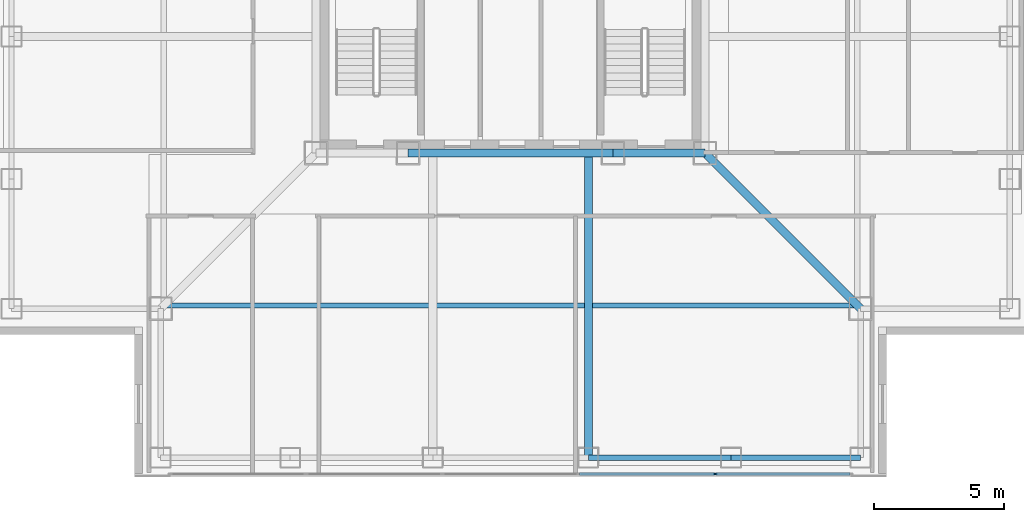
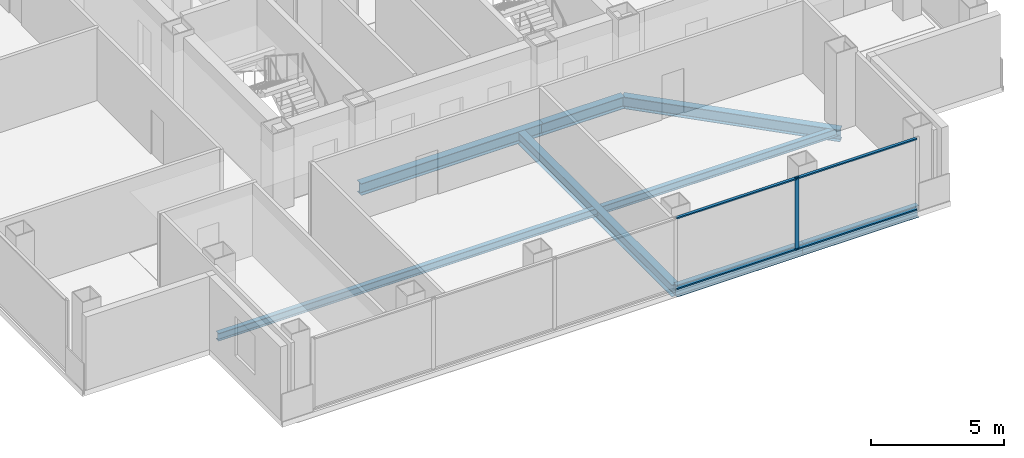
# One storey, part 3 of 18: 7 beams, 5 members, 1 element without a shape of its own.
"""IFC4 building model written with IfcOpenShell, lengths in metres."""

from ifc_helpers import new_model, si_unit, direction, frame, origin, origin_2d, place, context, subcontext, project, spatial, rectangle, i_section, extrude, material, layer, layer_set, material_profile, profile_set, type_object, element, aggregate, save


model = new_model("IFC4")

# Units and contexts
model_context = context("Model", 3, precision=1e-05, world=origin(), true_north=direction((0.0, 1.0)))
body_context = subcontext(model_context, "Body", "Model", "MODEL_VIEW")
ifc_project = project(units=[si_unit("LENGTHUNIT", "METRE"), si_unit("AREAUNIT", "SQUARE_METRE"), si_unit("VOLUMEUNIT", "CUBIC_METRE"), si_unit("PLANEANGLEUNIT", "RADIAN"), si_unit("MASSUNIT", "GRAM", prefix="KILO")], contexts=[model_context])

# Site, building, storey
site_placement = place(None, origin())
site = spatial("IfcSite", under=ifc_project, at=site_placement, CompositionType="ELEMENT")
building_placement = place(site_placement, origin())
building = spatial("IfcBuilding", under=site, at=building_placement, Name="Trevonay Congress Spire", CompositionType="ELEMENT")
storey_placement = place(building_placement, frame((0.0, 0.0, 220.199951171875)))
storey = spatial("IfcBuildingStorey", under=building, at=storey_placement, Name="L57", CompositionType="ELEMENT", Elevation=220.199951171875)

# Beams
ifc_material_1 = material(Name="Steel ASTM A572 Grade 50", Category="steel")
ifc_material_profile_1 = material_profile(ifc_material_1, i_section(OverallWidth=0.31201171875, OverallDepth=0.54296875, WebThickness=0.0126953125, FlangeThickness=0.020263671875, FilletRadius=0.014892578125, at=origin_2d()), Name="W530x150")
ifc_profile_set_1 = profile_set([ifc_material_profile_1], Name="Steel ASTM A572 Grade 50")
beam_type_1 = type_object("IfcBeamType", Name="BM-GIRD-W530X150", PredefinedType="BEAM", material=ifc_profile_set_1)
beam_1_placement = place(storey_placement, frame((-3.949951171875, -7.5, -0.511474609375), z_axis=(1.0, 0.0, 0.0), x_axis=(0.0, 1.0, 0.0)))
element("IfcBeam", 1, at=beam_1_placement, inside=storey, type_object=beam_type_1, Name="L57 structural beam BM-L57-CR-S2", PredefinedType="BEAM", context=body_context, shape_type="SweptSolid", body=[
    extrude(i_section(OverallWidth=0.31201171875, OverallDepth=0.54296875, WebThickness=0.0126953125, FlangeThickness=0.020263671875, FilletRadius=0.014892578125, at=origin_2d()), origin(), (0.0, 0.0, 1.0), 7.89990234375),
])
beam_2_placement = place(storey_placement, frame((3.949951171875, -7.5, -0.511474609375), z_axis=(1.0, 0.0, 0.0), x_axis=(0.0, 1.0, 0.0)))
element("IfcBeam", 2, at=beam_2_placement, inside=storey, type_object=beam_type_1, Name="L57 structural beam BM-L57-CR-S3", PredefinedType="BEAM", context=body_context, shape_type="SweptSolid", body=[
    extrude(i_section(OverallWidth=0.31201171875, OverallDepth=0.54296875, WebThickness=0.0126953125, FlangeThickness=0.020263671875, FilletRadius=0.014892578125, at=origin_2d()), origin(), (0.0, 0.0, 1.0), 3.550048828125),
])
beam_3_placement = place(storey_placement, frame((7.5, -7.5, -0.511474609375), z_axis=(0.707106781187, -0.707106781187, 0.0), x_axis=(0.707106781187, 0.707106781187, 0.0)))
element("IfcBeam", 3, at=beam_3_placement, inside=storey, type_object=beam_type_1, Name="L57 structural beam BM-L57-CDSE", PredefinedType="BEAM", context=body_context, shape_type="SweptSolid", body=[
    extrude(i_section(OverallWidth=0.31201171875, OverallDepth=0.54296875, WebThickness=0.0126953125, FlangeThickness=0.020263671875, FilletRadius=0.014892578125, at=origin_2d()), origin(), (0.0, 0.0, 1.0), 8.4853515625),
])
beam_4_placement = place(storey_placement, frame((3.0, -7.5, -0.511474609375), z_axis=(0.0, -1.0, 0.0), x_axis=(1.0, 0.0, 0.0)))
element("IfcBeam", 4, at=beam_4_placement, inside=storey, type_object=beam_type_1, Name="L57 structural beam BM-L57-GS-P", PredefinedType="BEAM", context=body_context, shape_type="SweptSolid", body=[
    extrude(i_section(OverallWidth=0.31201171875, OverallDepth=0.54296875, WebThickness=0.0126953125, FlangeThickness=0.020263671875, FilletRadius=0.014892578125, at=origin_2d()), origin(), (0.0, 0.0, 1.0), 11.75),
])
ifc_material_profile_2 = material_profile(ifc_material_1, i_section(OverallWidth=0.2119140625, OverallDepth=0.5439453125, WebThickness=0.01318359375, FlangeThickness=0.021240234375, FilletRadius=0.014892578125, at=origin_2d()), Name="W530x123")
ifc_profile_set_2 = profile_set([ifc_material_profile_2], Name="Steel ASTM A572 Grade 50")
beam_type_2 = type_object("IfcBeamType", Name="BM-RING-W530X123", PredefinedType="BEAM", material=ifc_profile_set_2)
beam_5_placement = place(storey_placement, frame((3.0, -19.25, -0.511962890625), z_axis=(1.0, 0.0, 0.0), x_axis=(0.0, 1.0, 0.0)))
element("IfcBeam", 5, at=beam_5_placement, inside=storey, type_object=beam_type_2, Name="L57 structural beam BM-L57-PS4", PredefinedType="BEAM", context=body_context, shape_type="SweptSolid", body=[
    extrude(i_section(OverallWidth=0.2119140625, OverallDepth=0.5439453125, WebThickness=0.01318359375, FlangeThickness=0.021240234375, FilletRadius=0.014892578125, at=origin_2d()), origin(), (0.0, 0.0, 1.0), 5.5),
])
beam_6_placement = place(storey_placement, frame((8.5, -19.25, -0.511962890625), z_axis=(1.0, 0.0, 0.0), x_axis=(0.0, 1.0, 0.0)))
element("IfcBeam", 6, at=beam_6_placement, inside=storey, type_object=beam_type_2, Name="L57 structural beam BM-L57-PS5", PredefinedType="BEAM", context=body_context, shape_type="SweptSolid", body=[
    extrude(i_section(OverallWidth=0.2119140625, OverallDepth=0.5439453125, WebThickness=0.01318359375, FlangeThickness=0.021240234375, FilletRadius=0.014892578125, at=origin_2d()), origin(), (0.0, 0.0, 1.0), 5.0),
])

# Curtain wall, members
ifc_material_2 = material(Name="Pale Anodised Aluminium EN AW-6063-T6", Category="aluminium")
ifc_layer = layer(ifc_material_2, 0.169921875, Name="Pale Anodised Aluminium EN AW-6063-T6")
ifc_layer_set = layer_set([ifc_layer], Name="Pale Anodised Aluminium EN AW-6063-T6")
curtain_wall_type = type_object("IfcCurtainWallType", Name="CW-SYS04-CORP-PALE-METAL", PredefinedType="NOTDEFINED", material=ifc_layer_set)
curtain_wall_placement = place(storey_placement, origin())
curtain_wall = element("IfcCurtainWall", 7, at=curtain_wall_placement, inside=storey, type_object=curtain_wall_type, Name="L57 S unitised curtain wall", PredefinedType="NOTDEFINED")
ifc_material_profile_3 = material_profile(ifc_material_2, rectangle(XDim=0.06005859375, YDim=0.159912109375, at=origin_2d()), Name="CW-MULLION-160-ALUMINIUM")
ifc_profile_set_3 = profile_set([ifc_material_profile_3], Name="Pale Anodised Aluminium EN AW-6063-T6")
member_type_1 = type_object("IfcMemberType", Name="CW-MULLION-160-ALUMINIUM", PredefinedType="MULLION", material=ifc_profile_set_3)
member_1_placement = place(storey_placement, frame((7.889892578125, -19.8798828125, 0.0), z_axis=(0.0, 0.0, 1.0), x_axis=(0.0, 1.0, 0.0)))
member_1 = element("IfcMember", 8, at=member_1_placement, type_object=member_type_1, Name="CW04 mullion 5", PredefinedType="MULLION", context=body_context, shape_type="SweptSolid", body=[
    extrude(rectangle(XDim=0.06005859375, YDim=0.159912109375, at=origin_2d()), origin(), (0.0, 0.0, 1.0), 3.360107421875),
])
ifc_material_profile_4 = material_profile(ifc_material_2, rectangle(XDim=0.1201171875, YDim=0.06005859375, at=origin_2d()), Name="CW-TRANSOM-120-ALUMINIUM")
ifc_profile_set_4 = profile_set([ifc_material_profile_4], Name="Pale Anodised Aluminium EN AW-6063-T6")
member_type_2 = type_object("IfcMemberType", Name="CW-TRANSOM-120-ALUMINIUM", PredefinedType="USERDEFINED", material=ifc_profile_set_4)
member_2_placement = place(storey_placement, frame((2.659912109375, -19.8798828125, 0.06005859375), z_axis=(1.0, 0.0, 0.0), x_axis=(0.0, 1.0, 0.0)))
member_2 = element("IfcMember", 9, at=member_2_placement, type_object=member_type_2, Name="CW04 transom 4.1", ObjectType="TRANSOM", PredefinedType="USERDEFINED", context=body_context, shape_type="SweptSolid", body=[
    extrude(rectangle(XDim=0.1201171875, YDim=0.06005859375, at=origin_2d()), origin(), (0.0, 0.0, 1.0), 5.2001953125),
])
member_3_placement = place(storey_placement, frame((2.659912109375, -19.8798828125, 3.300048828125), z_axis=(1.0, 0.0, 0.0), x_axis=(0.0, 1.0, 0.0)))
member_3 = element("IfcMember", 10, at=member_3_placement, type_object=member_type_2, Name="CW04 transom 4.2", ObjectType="TRANSOM", PredefinedType="USERDEFINED", context=body_context, shape_type="SweptSolid", body=[
    extrude(rectangle(XDim=0.1201171875, YDim=0.06005859375, at=origin_2d()), origin(), (0.0, 0.0, 1.0), 5.2001953125),
])
member_4_placement = place(storey_placement, frame((7.919921875, -19.8798828125, 0.06005859375), z_axis=(1.0, 0.0, 0.0), x_axis=(0.0, 1.0, 0.0)))
member_4 = element("IfcMember", 11, at=member_4_placement, type_object=member_type_2, Name="CW04 transom 5.1", ObjectType="TRANSOM", PredefinedType="USERDEFINED", context=body_context, shape_type="SweptSolid", body=[
    extrude(rectangle(XDim=0.1201171875, YDim=0.06005859375, at=origin_2d()), origin(), (0.0, 0.0, 1.0), 5.170166015625),
])
member_5_placement = place(storey_placement, frame((7.919921875, -19.8798828125, 3.300048828125), z_axis=(1.0, 0.0, 0.0), x_axis=(0.0, 1.0, 0.0)))
member_5 = element("IfcMember", 12, at=member_5_placement, type_object=member_type_2, Name="CW04 transom 5.2", ObjectType="TRANSOM", PredefinedType="USERDEFINED", context=body_context, shape_type="SweptSolid", body=[
    extrude(rectangle(XDim=0.1201171875, YDim=0.06005859375, at=origin_2d()), origin(), (0.0, 0.0, 1.0), 5.170166015625),
])
aggregate(curtain_wall, [member_1, member_2, member_3, member_4, member_5])

# Beam
ifc_material_profile_5 = material_profile(ifc_material_1, i_section(OverallWidth=0.205078125, OverallDepth=0.35400390625, WebThickness=0.009521484375, FlangeThickness=0.016845703125, FilletRadius=0.011962890625, at=origin_2d()), Name="W360x79")
ifc_profile_set_5 = profile_set([ifc_material_profile_5], Name="Steel ASTM A572 Grade 50")
beam_type_3 = type_object("IfcBeamType", Name="JS-COMP-W360X79", PredefinedType="JOIST", material=ifc_profile_set_5)
beam_7_placement = place(storey_placement, frame((-13.5, -13.375, -0.4169921875), z_axis=(1.0, 0.0, 0.0), x_axis=(0.0, 1.0, 0.0)))
element("IfcBeam", 13, at=beam_7_placement, inside=storey, type_object=beam_type_3, Name="L57 structural beam JS-L57-RING-S", PredefinedType="JOIST", context=body_context, shape_type="SweptSolid", body=[
    extrude(i_section(OverallWidth=0.205078125, OverallDepth=0.35400390625, WebThickness=0.009521484375, FlangeThickness=0.016845703125, FilletRadius=0.011962890625, at=origin_2d()), origin(), (0.0, 0.0, 1.0), 27.0),
])

save(model, "model.ifc")
